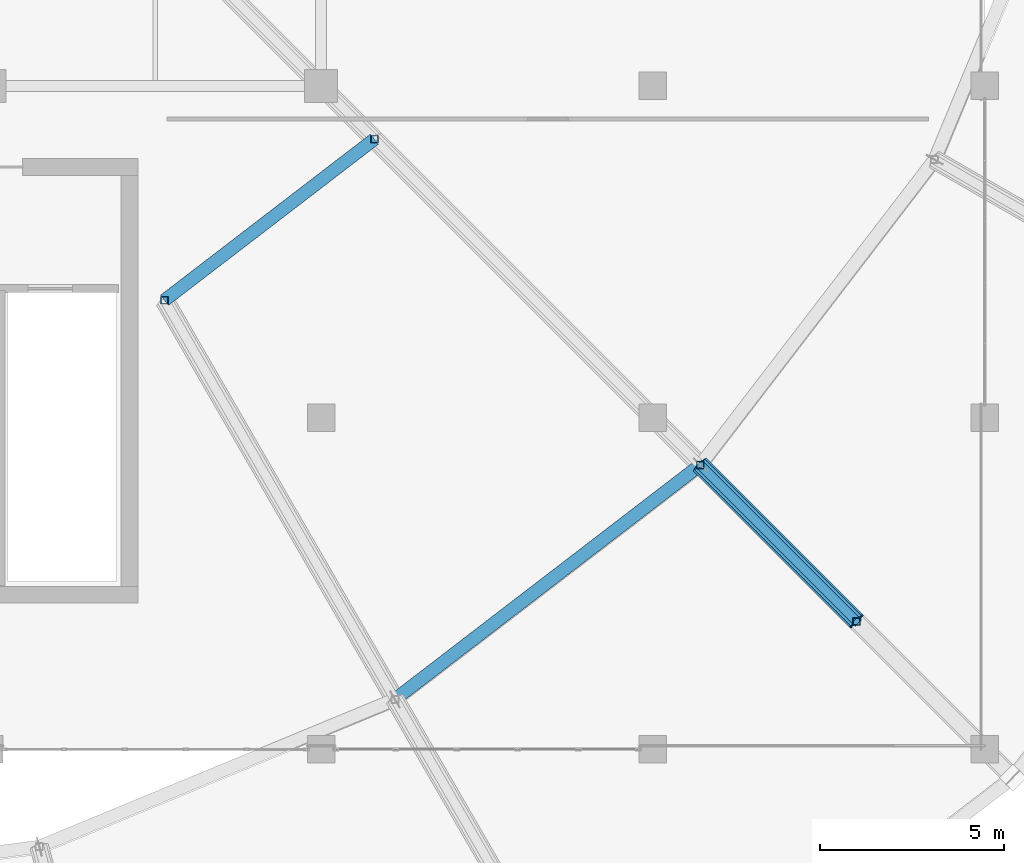
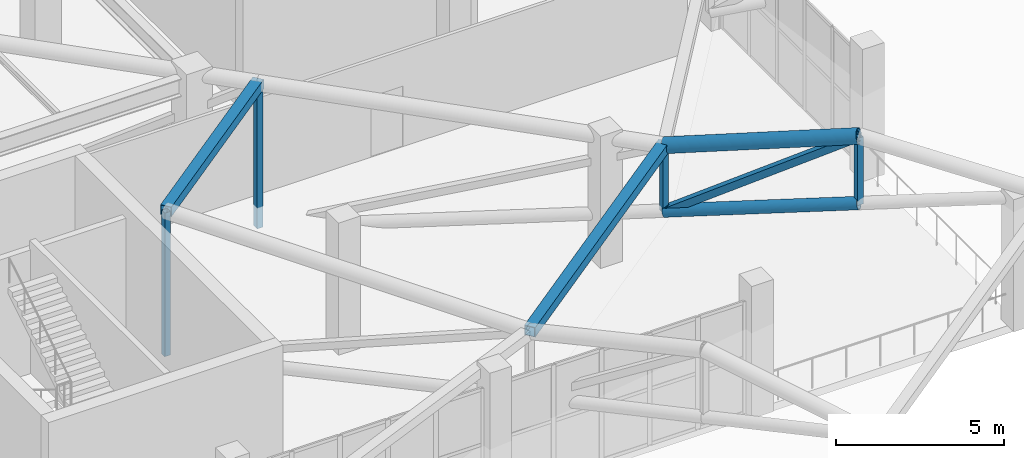
# One storey, part 36 of 167: 9 members.
"""IFC4 building model written with IfcOpenShell, lengths in metres."""

from ifc_helpers import new_model, si_unit, direction, frame, origin, origin_2d, place, context, subcontext, project, spatial, hollow_rectangle, hollow_circle, extrude, material, material_profile, profile_set, type_object, element, save


model = new_model("IFC4")

# Units and contexts
model_context = context("Model", 3, precision=1e-05, world=origin(), true_north=direction((0.0, 1.0)))
body_context = subcontext(model_context, "Body", "Model", "MODEL_VIEW")
ifc_project = project(units=[si_unit("LENGTHUNIT", "METRE"), si_unit("AREAUNIT", "SQUARE_METRE"), si_unit("VOLUMEUNIT", "CUBIC_METRE"), si_unit("PLANEANGLEUNIT", "RADIAN"), si_unit("MASSUNIT", "GRAM", prefix="KILO")], contexts=[model_context])

# Site, building, storey
site_placement = place(None, origin())
site = spatial("IfcSite", under=ifc_project, at=site_placement, CompositionType="ELEMENT")
building_placement = place(site_placement, origin())
building = spatial("IfcBuilding", under=site, at=building_placement, Name="Dornveld Trade and Exhibition Forum", CompositionType="ELEMENT")
storey_placement = place(building_placement, frame((0.0, 0.0, 16.800048828125)))
storey = spatial("IfcBuildingStorey", under=building, at=storey_placement, Name="L03", CompositionType="ELEMENT", Elevation=16.800048828125)

# Members
ifc_material_1 = material(Name="Steel S355J2", Category="steel")
ifc_material_profile_1 = material_profile(ifc_material_1, hollow_circle(Radius=0.203125, WallThickness=0.02001953125, at=origin_2d()), Name="CHS 406.4x20")
ifc_profile_set_1 = profile_set([ifc_material_profile_1], Name="Steel S355J2")
member_type_1 = type_object("IfcMemberType", Name="MEM-DISC-BC", PredefinedType="CHORD", material=ifc_profile_set_1)
member_1_placement = place(storey_placement, frame((145.2841796875, 52.7158203125, 2.07568359375), z_axis=(0.689562451292, -0.689562451292, 0.221375815155), x_axis=(0.707106781187, 0.707106781187, 0.0)))
element("IfcMember", 1, at=member_1_placement, inside=storey, type_object=member_type_1, Name="Roof disc radial R22 conical bottom chord 3", PredefinedType="CHORD", context=body_context, shape_type="SweptSolid", body=[
    extrude(hollow_circle(Radius=0.203125, WallThickness=0.02001953125, at=origin_2d()), origin(), (0.0, 0.0, 1.0), 6.152587890625),
])
ifc_material_2 = material(Name="Steel S355J2", Category="steel")
ifc_material_profile_2 = material_profile(ifc_material_2, hollow_rectangle(XDim=0.35009765625, YDim=0.35009765625, WallThickness=0.01611328125, at=origin_2d()), Name="SHS 350x350x16")
ifc_profile_set_2 = profile_set([ifc_material_profile_2], Name="Steel S355J2")
member_type_2 = type_object("IfcMemberType", Name="MEM-DISC-RING", PredefinedType="CHORD", material=ifc_profile_set_2)
member_2_placement = place(storey_placement, frame((130.75, 57.184326171875, 4.449951171875), z_axis=(0.793340265696, 0.608778467774, 0.0), x_axis=(-0.608778467774, 0.793340265696, 0.0)))
element("IfcMember", 2, at=member_2_placement, inside=storey, type_object=member_type_2, Name="Roof disc ring 2 chord 21", PredefinedType="CHORD", context=body_context, shape_type="SweptSolid", body=[
    extrude(hollow_rectangle(XDim=0.35009765625, YDim=0.35009765625, WallThickness=0.01611328125, at=origin_2d()), origin(), (0.0, 0.0, 1.0), 7.178955078125),
])
member_3_placement = place(storey_placement, frame((137.0, 46.35888671875, 4.449951171875), z_axis=(0.793341363525, 0.608777037117, 0.0), x_axis=(-0.608777037117, 0.793341363525, 0.0)))
element("IfcMember", 3, at=member_3_placement, inside=storey, type_object=member_type_2, Name="Roof disc ring 3 chord 21", PredefinedType="CHORD", context=body_context, shape_type="SweptSolid", body=[
    extrude(hollow_rectangle(XDim=0.35009765625, YDim=0.35009765625, WallThickness=0.01611328125, at=origin_2d()), origin(), (0.0, 0.0, 1.0), 10.442138671875),
])
ifc_material_3 = material(Name="Steel S355J2", Category="steel")
ifc_material_profile_3 = material_profile(ifc_material_3, hollow_rectangle(XDim=0.199951171875, YDim=0.199951171875, WallThickness=0.010009765625, at=origin_2d()), Name="SHS 200x200x10")
ifc_profile_set_3 = profile_set([ifc_material_profile_3], Name="Steel S355J2")
member_type_3 = type_object("IfcMemberType", Name="MEM-DISC-STR", PredefinedType="STRUT", material=ifc_profile_set_3)
for number, where, z_axis, x_axis, name in (
    (4, (130.75, 57.184326171875, -0.76220703125), (0.0, 0.0, 1.0), (1.0, 0.0, 0.0), "Roof disc radial R21 strut 2"),
    (5, (136.4453125, 61.5546875, -0.76220703125), (0.0, 0.0, 1.0), (1.0, 0.0, 0.0), "Roof disc radial R22 strut 2"),
):
    element("IfcMember", number, at=place(storey_placement, frame(where, z_axis=z_axis, x_axis=x_axis)), inside=storey, type_object=member_type_3, Name=name, PredefinedType="STRUT", context=body_context, shape_type="SweptSolid", body=[
        extrude(hollow_rectangle(XDim=0.199951171875, YDim=0.199951171875, WallThickness=0.010009765625, at=origin_2d()), origin(), (0.0, 0.0, 1.0), 5.212158203125),
    ])
member_4_placement = place(storey_placement, frame((145.2841796875, 52.7158203125, 2.07568359375), z_axis=(0.0, 0.0, 1.0), x_axis=(1.0, 0.0, 0.0)))
element("IfcMember", 6, at=member_4_placement, inside=storey, type_object=member_type_3, Name="Roof disc radial R22 strut 3", PredefinedType="STRUT", context=body_context, shape_type="SweptSolid", body=[
    extrude(hollow_rectangle(XDim=0.199951171875, YDim=0.199951171875, WallThickness=0.010009765625, at=origin_2d()), origin(), (0.0, 0.0, 1.0), 2.374267578125),
])
member_5_placement = place(storey_placement, frame((149.52685546875, 48.47314453125, 3.437744140625), z_axis=(0.0, 0.0, 1.0), x_axis=(1.0, 0.0, 0.0)))
element("IfcMember", 7, at=member_5_placement, inside=storey, type_object=member_type_3, Name="Roof disc radial R22 strut 4", PredefinedType="STRUT", context=body_context, shape_type="SweptSolid", body=[
    extrude(hollow_rectangle(XDim=0.199951171875, YDim=0.199951171875, WallThickness=0.010009765625, at=origin_2d()), origin(), (0.0, 0.0, 1.0), 2.437255859375),
])
ifc_material_4 = material(Name="Steel S355J2", Category="steel")
ifc_material_profile_4 = material_profile(ifc_material_4, hollow_circle(Radius=0.25390625, WallThickness=0.02490234375, at=origin_2d()), Name="CHS 508x25")
ifc_profile_set_4 = profile_set([ifc_material_profile_4], Name="Steel S355J2")
member_type_4 = type_object("IfcMemberType", Name="MEM-DISC-TC", PredefinedType="CHORD", material=ifc_profile_set_4)
member_6_placement = place(storey_placement, frame((145.2841796875, 52.7158203125, 4.449951171875), z_axis=(0.687969077833, -0.687969077833, 0.231078116429), x_axis=(0.707106781187, 0.707106781187, 0.0)))
element("IfcMember", 8, at=member_6_placement, inside=storey, type_object=member_type_4, Name="Roof disc radial R22 top chord 3", PredefinedType="CHORD", context=body_context, shape_type="SweptSolid", body=[
    extrude(hollow_circle(Radius=0.25390625, WallThickness=0.02490234375, at=origin_2d()), origin(), (0.0, 0.0, 1.0), 6.1669921875),
])
ifc_material_5 = material(Name="Steel S355J2", Category="steel")
ifc_material_profile_5 = material_profile(ifc_material_5, hollow_rectangle(XDim=0.25, YDim=0.25, WallThickness=0.012451171875, at=origin_2d()), Name="SHS 250x250x12.5")
ifc_profile_set_5 = profile_set([ifc_material_profile_5], Name="Steel S355J2")
member_type_5 = type_object("IfcMemberType", Name="MEM-DISC-WEB", PredefinedType="BRACE", material=ifc_profile_set_5)
member_7_placement = place(storey_placement, frame((145.2841796875, 52.7158203125, 2.07568359375), z_axis=(0.59740947601, -0.59740947601, 0.534980220145), x_axis=(0.707106781187, 0.707106781187, 0.0)))
element("IfcMember", 9, at=member_7_placement, inside=storey, type_object=member_type_5, Name="Roof disc radial R22 web 3", PredefinedType="BRACE", context=body_context, shape_type="SweptSolid", body=[
    extrude(hollow_rectangle(XDim=0.25, YDim=0.25, WallThickness=0.012451171875, at=origin_2d()), origin(), (0.0, 0.0, 1.0), 7.101806640625),
])

save(model, "model.ifc")
